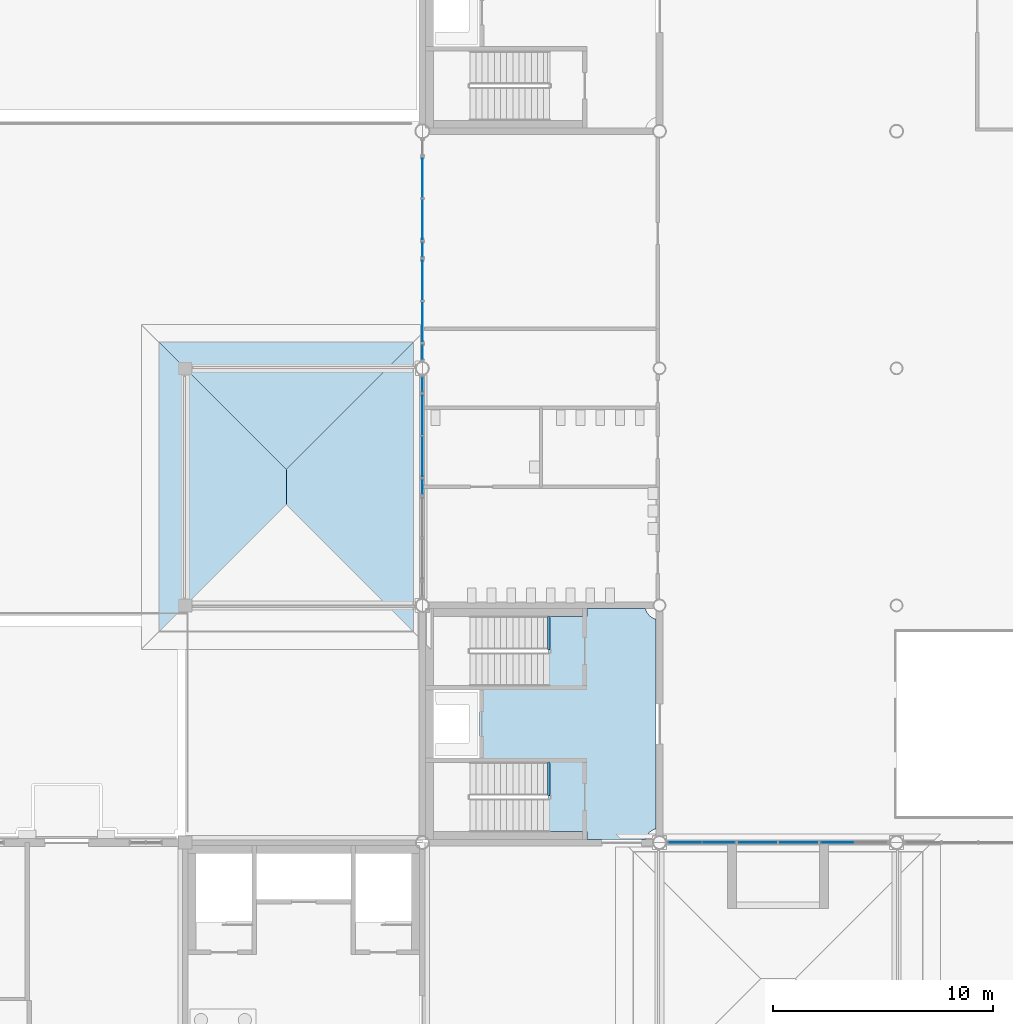
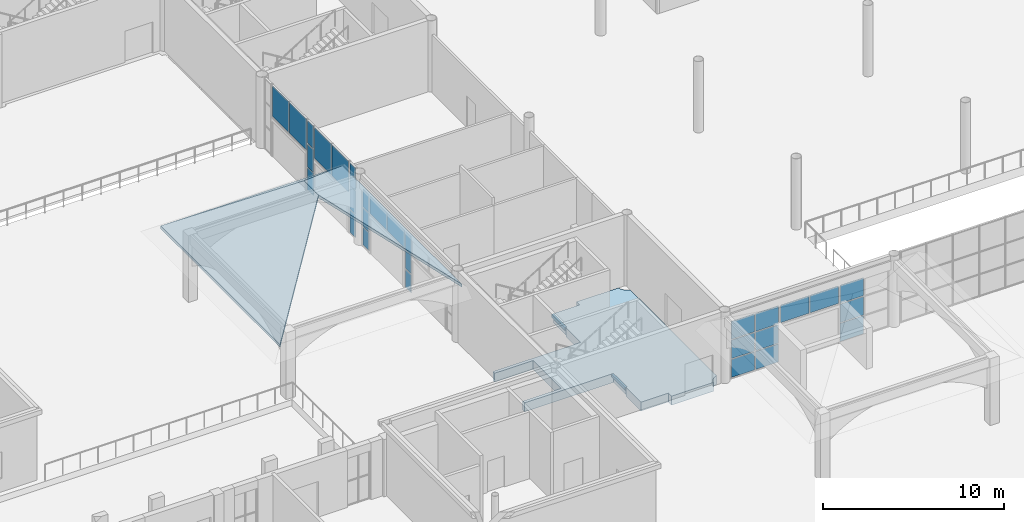
# One storey, part 35 of 91: 29 plates, 6 slabs, 10 elements without a shape of their own.
"""IFC4 building model written with IfcOpenShell, lengths in metres."""

import ifcopenshell
import ifcopenshell.guid

model = None  # the IFC model being written
_history = None  # IfcOwnerHistory: only IFC2X3 demands one
_inside = {}  # id of a spatial element -> (the spatial element, [elements in it])
_under = {}  # id of a project, library or spatial element -> (it, [spatial elements below it])
_declared = {}  # id of a project -> (the project, [libraries it declares])
_typed = {}  # id of a type object -> (the type object, [elements of that type])
_made_of = {}  # id of a material, layer set ... -> (it, [elements and type objects made of it])


def new_model(schema):
    """Start an empty IFC model of exactly this schema.

    Asked for "IFC4X3", IfcOpenShell would pick the latest addendum, in which some entities
    have other attributes; the version numbers below select the first issue.
    IFC2X3 requires an IfcOwnerHistory on every rooted entity: one is made here for all.
    """
    global model, _history
    if schema == "IFC4X3":
        model = ifcopenshell.file(schema_version=(4, 3, 0, 0))
    else:
        model = ifcopenshell.file(schema=schema)
    _inside.clear()
    _under.clear()
    _declared.clear()
    _typed.clear()
    _made_of.clear()
    _history = None
    if model.schema == "IFC2X3":
        org = make("IfcOrganization", Name="unknown")
        user = make(
            "IfcPersonAndOrganization",
            ThePerson=make("IfcPerson", FamilyName="unknown"),
            TheOrganization=org,
        )
        app = make(
            "IfcApplication",
            ApplicationDeveloper=org,
            Version="unknown",
            ApplicationFullName="unknown",
            ApplicationIdentifier="unknown",
        )
        _history = make(
            "IfcOwnerHistory",
            OwningUser=user,
            OwningApplication=app,
            ChangeAction="ADDED",
            CreationDate=0,
        )
    return model


def make(cls, **values):
    """One entity of the class cls with the attributes given. An attribute that is None is left unset."""
    return model.create_entity(
        cls, **{name: value for name, value in values.items() if value is not None}
    )


def rooted(cls, **values):
    """An entity with a GlobalId (a new one), such as an element, a storey or a relation."""
    return make(cls, GlobalId=ifcopenshell.guid.new(), OwnerHistory=_history, **values)


def si_unit(unit_type, name, prefix=None):
    """IfcSIUnit, for example si_unit("LENGTHUNIT", "METRE", prefix="MILLI")."""
    return make("IfcSIUnit", UnitType=unit_type, Prefix=prefix, Name=name)


def assignment(units):
    """IfcUnitAssignment: the units of a project."""
    return None if units is None else make("IfcUnitAssignment", Units=units)


def point(xyz):
    """IfcCartesianPoint."""
    return None if xyz is None else make("IfcCartesianPoint", Coordinates=xyz)


def direction(xyz):
    """IfcDirection."""
    return None if xyz is None else make("IfcDirection", DirectionRatios=xyz)


def frame(location, z_axis=None, x_axis=None):
    """IfcAxis2Placement3D, a coordinate frame: its origin and axes. An axis left out is left unset."""
    return make(
        "IfcAxis2Placement3D",
        Location=point(location),
        Axis=direction(z_axis),
        RefDirection=direction(x_axis),
    )


def frame_2d(location, x_axis=None):
    """IfcAxis2Placement2D, a coordinate frame in the plane: its origin and x axis."""
    return make(
        "IfcAxis2Placement2D", Location=point(location), RefDirection=direction(x_axis)
    )


def origin():
    """The frame at (0, 0, 0) with its axes left unset."""
    return frame((0.0, 0.0, 0.0))


def origin_2d():
    """The frame at (0, 0) in the plane with its x axis left unset."""
    return frame_2d((0.0, 0.0))


def place(relative_to, where):
    """IfcLocalPlacement: puts the frame where relative to a parent placement (None: the world)."""
    return make(
        "IfcLocalPlacement", PlacementRelTo=relative_to, RelativePlacement=where
    )


def context(
    kind, dimensions, precision=None, world=None, true_north=None, identifier=None
):
    """IfcGeometricRepresentationContext, for example the 3D "Model" context."""
    return make(
        "IfcGeometricRepresentationContext",
        ContextIdentifier=identifier,
        ContextType=kind,
        CoordinateSpaceDimension=dimensions,
        Precision=precision,
        WorldCoordinateSystem=world,
        TrueNorth=true_north,
    )


def subcontext(parent, identifier, kind, view, scale=None):
    """IfcGeometricRepresentationSubContext, for example "Body" below "Model"."""
    return make(
        "IfcGeometricRepresentationSubContext",
        ContextIdentifier=identifier,
        ContextType=kind,
        ParentContext=parent,
        TargetScale=scale,
        TargetView=view,
    )


def project(units=None, contexts=None):
    """IfcProject with its units and contexts."""
    return rooted(
        "IfcProject",
        Name="project",
        RepresentationContexts=contexts,
        UnitsInContext=assignment(units),
    )


def spatial(cls, under=None, at=None, **own):
    """A site, building, storey or space (cls), placed at a placement, below another one or the project."""
    s = rooted(cls, ObjectPlacement=at, **own)
    if under is not None:
        _under.setdefault(under.id(), (under, []))[1].append(s)
    return s


def polyline(points):
    """IfcPolyline through the points."""
    return make("IfcPolyline", Points=[point(p) for p in points])


def profile(cls, at=None, kind="AREA", **sizes):
    """A parametric profile (cls). Its sizes go by their IFC names, for example OverallWidth=200.0."""
    return make(cls, ProfileType=kind, Position=at, **sizes)


def rectangle(**sizes):
    """IfcRectangleProfileDef."""
    return profile("IfcRectangleProfileDef", **sizes)


def outline(outer, holes=None, kind="AREA"):
    """IfcArbitraryClosedProfileDef: a profile drawn as a closed curve; with holes, ...WithVoids."""
    if holes is None:
        return make("IfcArbitraryClosedProfileDef", ProfileType=kind, OuterCurve=outer)
    return make(
        "IfcArbitraryProfileDefWithVoids",
        ProfileType=kind,
        OuterCurve=outer,
        InnerCurves=holes,
    )


def extrude(swept, where, along, depth):
    """IfcExtrudedAreaSolid: the profile swept, set in the frame where, extruded along a direction by depth."""
    return make(
        "IfcExtrudedAreaSolid",
        SweptArea=swept,
        Position=where,
        ExtrudedDirection=direction(along),
        Depth=depth,
    )


def shape(context_of_items, identifier, shape_type, items):
    """IfcShapeRepresentation: the items that make up one representation, for example the "Body"."""
    return make(
        "IfcShapeRepresentation",
        ContextOfItems=context_of_items,
        RepresentationIdentifier=identifier,
        RepresentationType=shape_type,
        Items=items,
    )


def material(Name=None, Category=None):
    """IfcMaterial."""
    return make("IfcMaterial", Name=Name, Category=Category)


def layer(
    of_material, thickness, ventilated=None, Name=None, Category=None, Priority=None
):
    """IfcMaterialLayer: one layer of a wall or slab, of a material (None: an air gap)."""
    return make(
        "IfcMaterialLayer",
        Material=of_material,
        LayerThickness=thickness,
        IsVentilated=ventilated,
        Name=Name,
        Category=Category,
        Priority=Priority,
    )


def layer_set(layers, Name=None):
    """IfcMaterialLayerSet."""
    return make("IfcMaterialLayerSet", MaterialLayers=layers, LayerSetName=Name)


def made_of(thing, what):
    """Note that an element or type object is made of a material, layer set ...; save() writes the relation."""
    if what is not None:
        _made_of.setdefault(what.id(), (what, []))[1].append(thing)
    return thing


def type_object(cls, material=None, **own):
    """A type object (cls), such as IfcWallType, which elements share."""
    return made_of(rooted(cls, **own), material)


def element(
    cls,
    number,
    at=None,
    inside=None,
    cuts=None,
    type_object=None,
    material=None,
    context=None,
    identifier="Body",
    shape_type=None,
    held_by="IfcProductDefinitionShape",
    body=None,
    shapes=None,
    **own,
):
    """One element of the class cls, such as IfcWall. Its Tag is "e" and its number.

    at: its placement. inside: the storey or other place that contains it. cuts: it is an
    opening in that element (IfcRelVoidsElement). A single representation is given by context,
    identifier, shape_type and body (its items); several are given by shapes. held_by: the class
    of the entity that holds the representations. save() writes the other relations.
    """
    e = rooted(cls, Tag="e%d" % number, ObjectPlacement=at, **own)
    if body is not None:
        shapes = [shape(context, identifier, shape_type, body)]
    if shapes is not None:
        e.Representation = make(held_by, Representations=shapes)
    if inside is not None:
        _inside.setdefault(inside.id(), (inside, []))[1].append(e)
    if cuts is not None:
        rooted(
            "IfcRelVoidsElement", RelatingBuildingElement=cuts, RelatedOpeningElement=e
        )
    if type_object is not None:
        _typed.setdefault(type_object.id(), (type_object, []))[1].append(e)
    return made_of(e, material)


def aggregate(whole, parts):
    """IfcRelAggregates: a whole, such as a stair, and the parts it consists of."""
    return rooted("IfcRelAggregates", RelatingObject=whole, RelatedObjects=parts)


def save(model, path):
    """Write the relations noted so far, then the file.

    IfcRelAggregates (storeys below a building ...), IfcRelContainedInSpatialStructure (elements
    in a storey), IfcRelDefinesByType, IfcRelAssociatesMaterial and IfcRelDeclares: one each for
    every whole, place, type object, material and project.
    """
    for whole, parts in _under.values():
        aggregate(whole, parts)
    for where, things in _inside.values():
        rooted(
            "IfcRelContainedInSpatialStructure",
            RelatedElements=things,
            RelatingStructure=where,
        )
    for kind, things in _typed.values():
        rooted("IfcRelDefinesByType", RelatedObjects=things, RelatingType=kind)
    for what, things in _made_of.values():
        rooted("IfcRelAssociatesMaterial", RelatedObjects=things, RelatingMaterial=what)
    for by, libraries in _declared.values():
        rooted("IfcRelDeclares", RelatingContext=by, RelatedDefinitions=libraries)
    model.write(path)


model = new_model("IFC4")

# Units and contexts
model_context = context("Model", 3, precision=1e-05, world=origin(), true_north=direction((0.0, 1.0)))
body_context = subcontext(model_context, "Body", "Model", "MODEL_VIEW")
ifc_project = project(units=[si_unit("LENGTHUNIT", "METRE"), si_unit("AREAUNIT", "SQUARE_METRE"), si_unit("VOLUMEUNIT", "CUBIC_METRE"), si_unit("PLANEANGLEUNIT", "RADIAN"), si_unit("MASSUNIT", "GRAM", prefix="KILO")], contexts=[model_context])

# Site, building, storey
site_placement = place(None, origin())
site = spatial("IfcSite", under=ifc_project, at=site_placement, CompositionType="ELEMENT")
building_placement = place(site_placement, origin())
building = spatial("IfcBuilding", under=site, at=building_placement, Name="Magnolia Steps Interchange", CompositionType="ELEMENT")
storey_placement = place(building_placement, origin())
storey = spatial("IfcBuildingStorey", under=building, at=storey_placement, Name="L00", CompositionType="ELEMENT", Elevation=0.0)

# Slabs
ifc_material_1 = material(Name="Concrete C35", Category="concrete")
ifc_layer_1 = layer(ifc_material_1, 0.199951171875)
ifc_layer_set_1 = layer_set([ifc_layer_1], Name="Core floor nib 200")
slab_type_1 = type_object("IfcSlabType", Name="Core floor nib 200", PredefinedType="FLOOR", material=ifc_layer_set_1)
slab_1_placement = place(storey_placement, frame((0.0, 0.0, -0.199951171875)))
element("IfcSlab", 1, at=slab_1_placement, inside=storey, type_object=slab_type_1, Name="L00 core floor nib HC3", PredefinedType="FLOOR", context=body_context, shape_type="SweptSolid", body=[
    extrude(outline(polyline([(59.02001953125, 44.550048828125), (58.89990234375, 44.550048828125), (58.89990234375, 46.050048828125), (59.02001953125, 46.050048828125), (59.02001953125, 44.550048828125)])), origin(), (0.0, 0.0, 1.0), 0.199951171875),
])
slab_2_placement = place(storey_placement, frame((0.0, 0.0, -0.199951171875)))
element("IfcSlab", 2, at=slab_2_placement, inside=storey, type_object=slab_type_1, Name="L00 core floor nib HC3", PredefinedType="FLOOR", context=body_context, shape_type="SweptSolid", body=[
    extrude(outline(polyline([(59.02001953125, 51.199951171875), (58.89990234375, 51.199951171875), (58.89990234375, 52.699951171875), (59.02001953125, 52.699951171875), (59.02001953125, 51.199951171875)])), origin(), (0.0, 0.0, 1.0), 0.199951171875),
])
ifc_material_2 = material(Name="Concrete C35", Category="concrete")
ifc_layer_2 = layer(ifc_material_2, 0.60009765625)
ifc_layer_set_2 = layer_set([ifc_layer_2], Name="Core floor slab 600")
slab_type_2 = type_object("IfcSlabType", Name="Core floor slab 600", PredefinedType="FLOOR", material=ifc_layer_set_2)
slab_3_placement = place(storey_placement, frame((0.0, 0.0, -0.60009765625)))
element("IfcSlab", 3, at=slab_3_placement, inside=storey, type_object=slab_type_2, Name="L00 core floor HC3", PredefinedType="FLOOR", context=body_context, shape_type="SweptSolid", body=[
    extrude(outline(polyline([(58.949951171875, 42.89990234375), (58.949951171875, 44.550048828125), (59.02001953125, 44.550048828125), (59.02001953125, 46.050048828125), (53.35009765625, 46.050048828125), (53.35009765625, 46.25), (55.800048828125, 46.25), (55.800048828125, 49.35009765625), (53.35009765625, 49.35009765625), (53.35009765625, 49.550048828125), (58.949951171875, 49.550048828125), (58.949951171875, 51.199951171875), (59.02001953125, 51.199951171875), (59.02001953125, 52.699951171875), (60.699951171875, 52.699951171875), (60.699951171875, 53.050048828125), (63.368408203125, 53.050048828125), (63.3779296875, 53.01123046875), (63.3994140625, 52.951416015625), (63.4267578125, 52.8935546875), (63.45947265625, 52.8388671875), (63.49755859375, 52.78759765625), (63.540283203125, 52.740478515625), (63.587646484375, 52.697509765625), (63.638916015625, 52.659423828125), (63.693603515625, 52.626708984375), (63.751220703125, 52.599609375), (63.811279296875, 52.577880859375), (63.85009765625, 52.568359375), (63.85009765625, 43.03173828125), (63.811279296875, 43.02197265625), (63.751220703125, 43.00048828125), (63.693603515625, 42.97314453125), (63.638916015625, 42.9404296875), (63.587646484375, 42.902587890625), (63.540283203125, 42.859619140625), (63.49755859375, 42.8125), (63.45947265625, 42.760986328125), (63.4267578125, 42.706298828125), (63.3994140625, 42.648681640625), (63.3779296875, 42.588623046875), (63.368408203125, 42.550048828125), (60.699951171875, 42.550048828125), (60.699951171875, 42.89990234375), (58.949951171875, 42.89990234375)])), origin(), (0.0, 0.0, 1.0), 0.60009765625),
])

# Curtain wall, plates
ifc_material_3 = material(Name="Powder-coated aluminium and glass", Category="aluminium")
ifc_layer_3 = layer(ifc_material_3, 0.14990234375)
ifc_layer_set_3 = layer_set([ifc_layer_3], Name="Glazed hall curtain wall")
curtain_wall_type = type_object("IfcCurtainWallType", Name="Glazed hall curtain wall", PredefinedType="NOTDEFINED", material=ifc_layer_set_3)
curtain_wall_1_placement = place(storey_placement, origin())
curtain_wall_1 = element("IfcCurtainWall", 4, at=curtain_wall_1_placement, inside=storey, type_object=curtain_wall_type, Name="Hall glazing S2a L00", PredefinedType="NOTDEFINED")
ifc_material_4 = material(Name="Laminated glass", Category="glass")
ifc_layer_4 = layer(ifc_material_4, 0.028076171875)
ifc_layer_set_4 = layer_set([ifc_layer_4], Name="Glass panel 28")
plate_type = type_object("IfcPlateType", Name="Glass panel 28", PredefinedType="CURTAIN_PANEL", material=ifc_layer_set_4)
plate_1_placement = place(storey_placement, frame((65.159912109375, 42.39990234375, 0.06005859375), z_axis=(0.0, 0.0, 1.0), x_axis=(1.0, 0.0, 0.0)))
plate_1 = element("IfcPlate", 5, at=plate_1_placement, type_object=plate_type, Name="CW1 panel 1.1", PredefinedType="CURTAIN_PANEL", context=body_context, shape_type="SweptSolid", body=[
    extrude(rectangle(XDim=1.47998046875, YDim=0.028076171875, at=origin_2d()), origin(), (0.0, 0.0, 1.0), 1.2099609375),
])
plate_2_placement = place(storey_placement, frame((65.159912109375, 42.39990234375, 1.330078125), z_axis=(0.0, 0.0, 1.0), x_axis=(1.0, 0.0, 0.0)))
plate_2 = element("IfcPlate", 6, at=plate_2_placement, type_object=plate_type, Name="CW1 panel 1.2", PredefinedType="CURTAIN_PANEL", context=body_context, shape_type="SweptSolid", body=[
    extrude(rectangle(XDim=1.47998046875, YDim=0.028076171875, at=origin_2d()), origin(), (0.0, 0.0, 1.0), 1.239990234375),
])
plate_3_placement = place(storey_placement, frame((65.159912109375, 42.39990234375, 2.630126953125), z_axis=(0.0, 0.0, 1.0), x_axis=(1.0, 0.0, 0.0)))
plate_3 = element("IfcPlate", 7, at=plate_3_placement, type_object=plate_type, Name="CW1 panel 1.3", PredefinedType="CURTAIN_PANEL", context=body_context, shape_type="SweptSolid", body=[
    extrude(rectangle(XDim=1.47998046875, YDim=0.028076171875, at=origin_2d()), origin(), (0.0, 0.0, 1.0), 1.2099609375),
])
plate_4_placement = place(storey_placement, frame((66.699951171875, 42.39990234375, 0.06005859375), z_axis=(0.0, 0.0, 1.0), x_axis=(1.0, 0.0, 0.0)))
plate_4 = element("IfcPlate", 8, at=plate_4_placement, type_object=plate_type, Name="CW1 panel 2.1", PredefinedType="CURTAIN_PANEL", context=body_context, shape_type="SweptSolid", body=[
    extrude(rectangle(XDim=1.47998046875, YDim=0.028076171875, at=origin_2d()), origin(), (0.0, 0.0, 1.0), 1.2099609375),
])
plate_5_placement = place(storey_placement, frame((66.699951171875, 42.39990234375, 1.330078125), z_axis=(0.0, 0.0, 1.0), x_axis=(1.0, 0.0, 0.0)))
plate_5 = element("IfcPlate", 9, at=plate_5_placement, type_object=plate_type, Name="CW1 panel 2.2", PredefinedType="CURTAIN_PANEL", context=body_context, shape_type="SweptSolid", body=[
    extrude(rectangle(XDim=1.47998046875, YDim=0.028076171875, at=origin_2d()), origin(), (0.0, 0.0, 1.0), 1.239990234375),
])
plate_6_placement = place(storey_placement, frame((66.699951171875, 42.39990234375, 2.630126953125), z_axis=(0.0, 0.0, 1.0), x_axis=(1.0, 0.0, 0.0)))
plate_6 = element("IfcPlate", 10, at=plate_6_placement, type_object=plate_type, Name="CW1 panel 2.3", PredefinedType="CURTAIN_PANEL", context=body_context, shape_type="SweptSolid", body=[
    extrude(rectangle(XDim=1.47998046875, YDim=0.028076171875, at=origin_2d()), origin(), (0.0, 0.0, 1.0), 1.2099609375),
])
aggregate(curtain_wall_1, [plate_1, plate_2, plate_3, plate_4, plate_5, plate_6])

curtain_wall_2_placement = place(storey_placement, origin())
curtain_wall_2 = element("IfcCurtainWall", 11, at=curtain_wall_2_placement, inside=storey, type_object=curtain_wall_type, Name="Hall entrance fanlight S2", PredefinedType="NOTDEFINED")
plate_7_placement = place(storey_placement, frame((68.465087890625, 42.39990234375, 2.66015625), z_axis=(0.0, 0.0, 1.0), x_axis=(1.0, 0.0, 0.0)))
plate_7 = element("IfcPlate", 12, at=plate_7_placement, type_object=plate_type, Name="CW1 panel 1.1", PredefinedType="CURTAIN_PANEL", context=body_context, shape_type="SweptSolid", body=[
    extrude(rectangle(XDim=1.81005859375, YDim=0.028076171875, at=origin_2d()), origin(), (0.0, 0.0, 1.0), 1.179931640625),
])
plate_8_placement = place(storey_placement, frame((70.3349609375, 42.39990234375, 2.66015625), z_axis=(0.0, 0.0, 1.0), x_axis=(1.0, 0.0, 0.0)))
plate_8 = element("IfcPlate", 13, at=plate_8_placement, type_object=plate_type, Name="CW1 panel 2.1", PredefinedType="CURTAIN_PANEL", context=body_context, shape_type="SweptSolid", body=[
    extrude(rectangle(XDim=1.81005859375, YDim=0.028076171875, at=origin_2d()), origin(), (0.0, 0.0, 1.0), 1.179931640625),
])
aggregate(curtain_wall_2, [plate_7, plate_8])

curtain_wall_3_placement = place(storey_placement, origin())
curtain_wall_3 = element("IfcCurtainWall", 14, at=curtain_wall_3_placement, inside=storey, type_object=curtain_wall_type, Name="Hall glazing S2z L00", PredefinedType="NOTDEFINED")
plate_9_placement = place(storey_placement, frame((72.10009765625, 42.39990234375, 0.06005859375), z_axis=(0.0, 0.0, 1.0), x_axis=(1.0, 0.0, 0.0)))
plate_9 = element("IfcPlate", 15, at=plate_9_placement, type_object=plate_type, Name="CW1 panel 1.1", PredefinedType="CURTAIN_PANEL", context=body_context, shape_type="SweptSolid", body=[
    extrude(rectangle(XDim=1.47998046875, YDim=0.028076171875, at=origin_2d()), origin(), (0.0, 0.0, 1.0), 1.2099609375),
])
plate_10_placement = place(storey_placement, frame((72.10009765625, 42.39990234375, 1.330078125), z_axis=(0.0, 0.0, 1.0), x_axis=(1.0, 0.0, 0.0)))
plate_10 = element("IfcPlate", 16, at=plate_10_placement, type_object=plate_type, Name="CW1 panel 1.2", PredefinedType="CURTAIN_PANEL", context=body_context, shape_type="SweptSolid", body=[
    extrude(rectangle(XDim=1.47998046875, YDim=0.028076171875, at=origin_2d()), origin(), (0.0, 0.0, 1.0), 1.239990234375),
])
plate_11_placement = place(storey_placement, frame((72.10009765625, 42.39990234375, 2.630126953125), z_axis=(0.0, 0.0, 1.0), x_axis=(1.0, 0.0, 0.0)))
plate_11 = element("IfcPlate", 17, at=plate_11_placement, type_object=plate_type, Name="CW1 panel 1.3", PredefinedType="CURTAIN_PANEL", context=body_context, shape_type="SweptSolid", body=[
    extrude(rectangle(XDim=1.47998046875, YDim=0.028076171875, at=origin_2d()), origin(), (0.0, 0.0, 1.0), 1.2099609375),
])
aggregate(curtain_wall_3, [plate_9, plate_10, plate_11])

curtain_wall_4_placement = place(storey_placement, origin())
curtain_wall_4 = element("IfcCurtainWall", 18, at=curtain_wall_4_placement, inside=storey, type_object=curtain_wall_type, Name="Hall glazing W2b L00", PredefinedType="NOTDEFINED")
plate_12_placement = place(storey_placement, frame((53.199951171875, 58.60009765625, 0.06005859375), z_axis=(0.0, 0.0, 1.0), x_axis=(0.0, 1.0, 0.0)))
plate_12 = element("IfcPlate", 19, at=plate_12_placement, type_object=plate_type, Name="CW1 panel 1.1", PredefinedType="CURTAIN_PANEL", context=body_context, shape_type="SweptSolid", body=[
    extrude(rectangle(XDim=0.639892578125, YDim=0.028076171875, at=origin_2d()), origin(), (0.0, 0.0, 1.0), 1.2099609375),
])
plate_13_placement = place(storey_placement, frame((53.199951171875, 58.60009765625, 1.330078125), z_axis=(0.0, 0.0, 1.0), x_axis=(0.0, 1.0, 0.0)))
plate_13 = element("IfcPlate", 20, at=plate_13_placement, type_object=plate_type, Name="CW1 panel 1.2", PredefinedType="CURTAIN_PANEL", context=body_context, shape_type="SweptSolid", body=[
    extrude(rectangle(XDim=0.639892578125, YDim=0.028076171875, at=origin_2d()), origin(), (0.0, 0.0, 1.0), 1.239990234375),
])
plate_14_placement = place(storey_placement, frame((53.199951171875, 58.60009765625, 2.630126953125), z_axis=(0.0, 0.0, 1.0), x_axis=(0.0, 1.0, 0.0)))
plate_14 = element("IfcPlate", 21, at=plate_14_placement, type_object=plate_type, Name="CW1 panel 1.3", PredefinedType="CURTAIN_PANEL", context=body_context, shape_type="SweptSolid", body=[
    extrude(rectangle(XDim=0.639892578125, YDim=0.028076171875, at=origin_2d()), origin(), (0.0, 0.0, 1.0), 1.2099609375),
])
aggregate(curtain_wall_4, [plate_12, plate_13, plate_14])

curtain_wall_5_placement = place(storey_placement, origin())
curtain_wall_5 = element("IfcCurtainWall", 22, at=curtain_wall_5_placement, inside=storey, type_object=curtain_wall_type, Name="Hall entrance fanlight W2-2", PredefinedType="NOTDEFINED")
plate_15_placement = place(storey_placement, frame((53.199951171875, 59.969970703125, 2.66015625), z_axis=(0.0, 0.0, 1.0), x_axis=(0.0, 1.0, 0.0)))
plate_15 = element("IfcPlate", 23, at=plate_15_placement, type_object=plate_type, Name="CW1 panel 1.1", PredefinedType="CURTAIN_PANEL", context=body_context, shape_type="SweptSolid", body=[
    extrude(rectangle(XDim=1.860107421875, YDim=0.028076171875, at=origin_2d()), origin(), (0.0, 0.0, 1.0), 1.179931640625),
])
plate_16_placement = place(storey_placement, frame((53.199951171875, 61.889892578125, 2.66015625), z_axis=(0.0, 0.0, 1.0), x_axis=(0.0, 1.0, 0.0)))
plate_16 = element("IfcPlate", 24, at=plate_16_placement, type_object=plate_type, Name="CW1 panel 2.1", PredefinedType="CURTAIN_PANEL", context=body_context, shape_type="SweptSolid", body=[
    extrude(rectangle(XDim=1.860107421875, YDim=0.028076171875, at=origin_2d()), origin(), (0.0, 0.0, 1.0), 1.179931640625),
])
aggregate(curtain_wall_5, [plate_15, plate_16])

curtain_wall_6_placement = place(storey_placement, origin())
curtain_wall_6 = element("IfcCurtainWall", 25, at=curtain_wall_6_placement, inside=storey, type_object=curtain_wall_type, Name="Hall glazing W2z L00", PredefinedType="NOTDEFINED")
plate_17_placement = place(storey_placement, frame((53.199951171875, 63.260009765625, 0.06005859375), z_axis=(0.0, 0.0, 1.0), x_axis=(0.0, 1.0, 0.0)))
plate_17 = element("IfcPlate", 26, at=plate_17_placement, type_object=plate_type, Name="CW1 panel 1.1", PredefinedType="CURTAIN_PANEL", context=body_context, shape_type="SweptSolid", body=[
    extrude(rectangle(XDim=0.639892578125, YDim=0.028076171875, at=origin_2d()), origin(), (0.0, 0.0, 1.0), 1.2099609375),
])
plate_18_placement = place(storey_placement, frame((53.199951171875, 63.260009765625, 1.330078125), z_axis=(0.0, 0.0, 1.0), x_axis=(0.0, 1.0, 0.0)))
plate_18 = element("IfcPlate", 27, at=plate_18_placement, type_object=plate_type, Name="CW1 panel 1.2", PredefinedType="CURTAIN_PANEL", context=body_context, shape_type="SweptSolid", body=[
    extrude(rectangle(XDim=0.639892578125, YDim=0.028076171875, at=origin_2d()), origin(), (0.0, 0.0, 1.0), 1.239990234375),
])
plate_19_placement = place(storey_placement, frame((53.199951171875, 63.260009765625, 2.630126953125), z_axis=(0.0, 0.0, 1.0), x_axis=(0.0, 1.0, 0.0)))
plate_19 = element("IfcPlate", 28, at=plate_19_placement, type_object=plate_type, Name="CW1 panel 1.3", PredefinedType="CURTAIN_PANEL", context=body_context, shape_type="SweptSolid", body=[
    extrude(rectangle(XDim=0.639892578125, YDim=0.028076171875, at=origin_2d()), origin(), (0.0, 0.0, 1.0), 1.2099609375),
])
aggregate(curtain_wall_6, [plate_17, plate_18, plate_19])

curtain_wall_7_placement = place(storey_placement, origin())
curtain_wall_7 = element("IfcCurtainWall", 29, at=curtain_wall_7_placement, inside=storey, type_object=curtain_wall_type, Name="Hall glazing W3a L00", PredefinedType="NOTDEFINED")
plate_20_placement = place(storey_placement, frame((53.199951171875, 64.739990234375, 0.06005859375), z_axis=(0.0, 0.0, 1.0), x_axis=(0.0, 1.0, 0.0)))
plate_20 = element("IfcPlate", 30, at=plate_20_placement, type_object=plate_type, Name="CW1 panel 1.1", PredefinedType="CURTAIN_PANEL", context=body_context, shape_type="SweptSolid", body=[
    extrude(rectangle(XDim=0.639892578125, YDim=0.028076171875, at=origin_2d()), origin(), (0.0, 0.0, 1.0), 1.510009765625),
])
plate_21_placement = place(storey_placement, frame((53.199951171875, 64.739990234375, 1.6298828125), z_axis=(0.0, 0.0, 1.0), x_axis=(0.0, 1.0, 0.0)))
plate_21 = element("IfcPlate", 31, at=plate_21_placement, type_object=plate_type, Name="CW1 panel 1.2", PredefinedType="CURTAIN_PANEL", context=body_context, shape_type="SweptSolid", body=[
    extrude(rectangle(XDim=0.639892578125, YDim=0.028076171875, at=origin_2d()), origin(), (0.0, 0.0, 1.0), 1.5400390625),
])
plate_22_placement = place(storey_placement, frame((53.199951171875, 64.739990234375, 3.22998046875), z_axis=(0.0, 0.0, 1.0), x_axis=(0.0, 1.0, 0.0)))
plate_22 = element("IfcPlate", 32, at=plate_22_placement, type_object=plate_type, Name="CW1 panel 1.3", PredefinedType="CURTAIN_PANEL", context=body_context, shape_type="SweptSolid", body=[
    extrude(rectangle(XDim=0.639892578125, YDim=0.028076171875, at=origin_2d()), origin(), (0.0, 0.0, 1.0), 1.510009765625),
])
aggregate(curtain_wall_7, [plate_20, plate_21, plate_22])

curtain_wall_8_placement = place(storey_placement, origin())
curtain_wall_8 = element("IfcCurtainWall", 33, at=curtain_wall_8_placement, inside=storey, type_object=curtain_wall_type, Name="Hall entrance fanlight W3-1", PredefinedType="NOTDEFINED")
plate_23_placement = place(storey_placement, frame((53.199951171875, 66.110107421875, 2.659912109375), z_axis=(0.0, 0.0, 1.0), x_axis=(0.0, 1.0, 0.0)))
plate_23 = element("IfcPlate", 34, at=plate_23_placement, type_object=plate_type, Name="CW1 panel 1.1", PredefinedType="CURTAIN_PANEL", context=body_context, shape_type="SweptSolid", body=[
    extrude(rectangle(XDim=1.860107421875, YDim=0.028076171875, at=origin_2d()), origin(), (0.0, 0.0, 1.0), 2.080078125),
])
plate_24_placement = place(storey_placement, frame((53.199951171875, 68.030029296875, 2.659912109375), z_axis=(0.0, 0.0, 1.0), x_axis=(0.0, 1.0, 0.0)))
plate_24 = element("IfcPlate", 35, at=plate_24_placement, type_object=plate_type, Name="CW1 panel 2.1", PredefinedType="CURTAIN_PANEL", context=body_context, shape_type="SweptSolid", body=[
    extrude(rectangle(XDim=1.860107421875, YDim=0.028076171875, at=origin_2d()), origin(), (0.0, 0.0, 1.0), 2.080078125),
])
aggregate(curtain_wall_8, [plate_23, plate_24])

curtain_wall_9_placement = place(storey_placement, origin())
curtain_wall_9 = element("IfcCurtainWall", 36, at=curtain_wall_9_placement, inside=storey, type_object=curtain_wall_type, Name="Hall glazing W3b L00", PredefinedType="NOTDEFINED")
plate_25_placement = place(storey_placement, frame((53.199951171875, 69.39990234375, 0.06005859375), z_axis=(0.0, 0.0, 1.0), x_axis=(0.0, 1.0, 0.0)))
plate_25 = element("IfcPlate", 37, at=plate_25_placement, type_object=plate_type, Name="CW1 panel 1.1", PredefinedType="CURTAIN_PANEL", context=body_context, shape_type="SweptSolid", body=[
    extrude(rectangle(XDim=0.639892578125, YDim=0.028076171875, at=origin_2d()), origin(), (0.0, 0.0, 1.0), 1.510009765625),
])
plate_26_placement = place(storey_placement, frame((53.199951171875, 69.39990234375, 1.6298828125), z_axis=(0.0, 0.0, 1.0), x_axis=(0.0, 1.0, 0.0)))
plate_26 = element("IfcPlate", 38, at=plate_26_placement, type_object=plate_type, Name="CW1 panel 1.2", PredefinedType="CURTAIN_PANEL", context=body_context, shape_type="SweptSolid", body=[
    extrude(rectangle(XDim=0.639892578125, YDim=0.028076171875, at=origin_2d()), origin(), (0.0, 0.0, 1.0), 1.5400390625),
])
plate_27_placement = place(storey_placement, frame((53.199951171875, 69.39990234375, 3.22998046875), z_axis=(0.0, 0.0, 1.0), x_axis=(0.0, 1.0, 0.0)))
plate_27 = element("IfcPlate", 39, at=plate_27_placement, type_object=plate_type, Name="CW1 panel 1.3", PredefinedType="CURTAIN_PANEL", context=body_context, shape_type="SweptSolid", body=[
    extrude(rectangle(XDim=0.639892578125, YDim=0.028076171875, at=origin_2d()), origin(), (0.0, 0.0, 1.0), 1.510009765625),
])
aggregate(curtain_wall_9, [plate_25, plate_26, plate_27])

curtain_wall_10_placement = place(storey_placement, origin())
curtain_wall_10 = element("IfcCurtainWall", 40, at=curtain_wall_10_placement, inside=storey, type_object=curtain_wall_type, Name="Hall entrance fanlight W3-2", PredefinedType="NOTDEFINED")
plate_28_placement = place(storey_placement, frame((53.199951171875, 70.77001953125, 2.659912109375), z_axis=(0.0, 0.0, 1.0), x_axis=(0.0, 1.0, 0.0)))
plate_28 = element("IfcPlate", 41, at=plate_28_placement, type_object=plate_type, Name="CW1 panel 1.1", PredefinedType="CURTAIN_PANEL", context=body_context, shape_type="SweptSolid", body=[
    extrude(rectangle(XDim=1.860107421875, YDim=0.028076171875, at=origin_2d()), origin(), (0.0, 0.0, 1.0), 2.080078125),
])
plate_29_placement = place(storey_placement, frame((53.199951171875, 72.68994140625, 2.659912109375), z_axis=(0.0, 0.0, 1.0), x_axis=(0.0, 1.0, 0.0)))
plate_29 = element("IfcPlate", 42, at=plate_29_placement, type_object=plate_type, Name="CW1 panel 2.1", PredefinedType="CURTAIN_PANEL", context=body_context, shape_type="SweptSolid", body=[
    extrude(rectangle(XDim=1.860107421875, YDim=0.028076171875, at=origin_2d()), origin(), (0.0, 0.0, 1.0), 2.080078125),
])
aggregate(curtain_wall_10, [plate_28, plate_29])

# Slabs
ifc_material_5 = material(Name="Concrete C40", Category="concrete")
ifc_layer_5 = layer(ifc_material_5, 0.14990234375)
ifc_layer_set_5 = layer_set([ifc_layer_5], Name="Pavilion roof slab 150")
slab_type_3 = type_object("IfcSlabType", Name="Pavilion roof slab 150", PredefinedType="ROOF", material=ifc_layer_set_5)
for number, where, z_axis, x_axis, name in (
    (43, (52.800048828125, 52.0, 4.577880859375), (0.615661421178, 0.0, 0.788010795912), (0.0, 1.0, 0.0), "Portico roof slab PT-W2 1"),
    (44, (41.199951171875, 65.199951171875, 4.577880859375), (-0.615661421178, 0.0, 0.788010795912), (0.0, -1.0, 0.0), "Portico roof slab PT-W2 2"),
):
    element("IfcSlab", number, at=place(storey_placement, frame(where, z_axis=z_axis, x_axis=x_axis)), inside=storey, type_object=slab_type_3, Name=name, PredefinedType="ROOF", context=body_context, shape_type="SweptSolid", body=[
        extrude(outline(polyline([(0.0, 0.0), (13.199951172, 0.0), (7.399902344, 7.360367216), (5.800048828, 7.360367216), (0.0, 0.0)])), origin(), (0.0, -0.615661421178, -0.788010795912), 0.1904296875),
    ])
slab_4_placement = place(storey_placement, frame((52.800048828125, 65.199951171875, 4.577880859375), z_axis=(0.0, 0.615661421178, 0.788010795912), x_axis=(-1.0, 0.0, 0.0)))
element("IfcSlab", 45, at=slab_4_placement, inside=storey, type_object=slab_type_3, Name="Portico roof slab PT-W2 4", PredefinedType="ROOF", context=body_context, shape_type="SweptSolid", body=[
    extrude(outline(polyline([(0.0, 0.0), (11.600097656, 0.0), (5.800048828, 7.360367216), (0.0, 0.0)])), origin(), (0.0, -0.615661421178, -0.788010795912), 0.1904296875),
])

save(model, "model.ifc")
